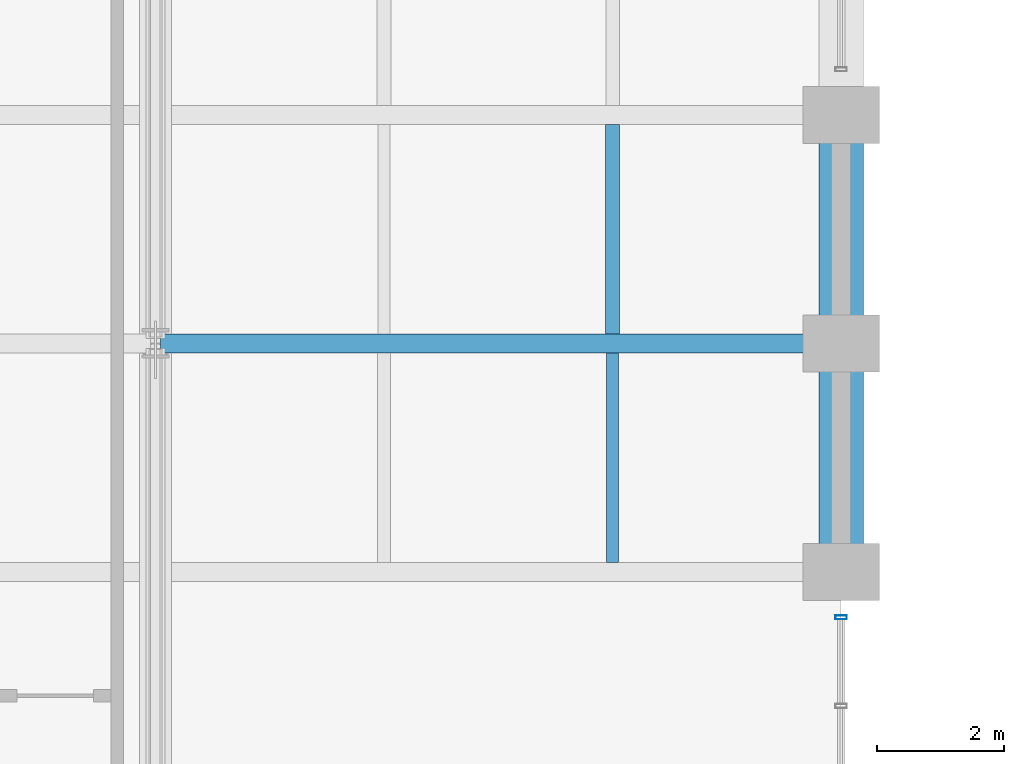
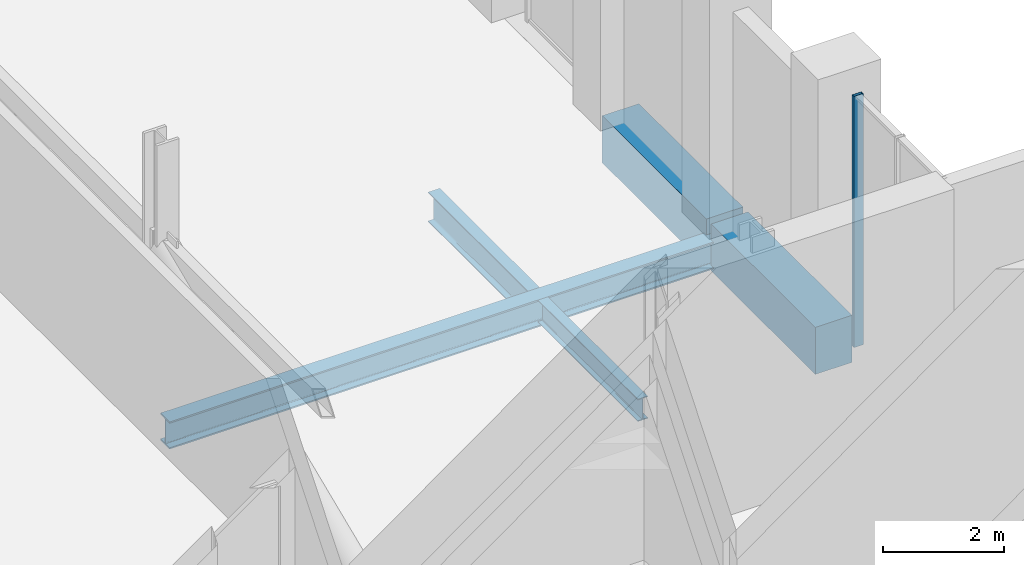
# One storey, part 9 of 27: 5 beams, 1 member, 1 element without a shape of its own.
"""IFC4 building model written with IfcOpenShell, lengths in metres."""

import ifcopenshell
import ifcopenshell.guid

model = None  # the IFC model being written
_history = None  # IfcOwnerHistory: only IFC2X3 demands one
_inside = {}  # id of a spatial element -> (the spatial element, [elements in it])
_under = {}  # id of a project, library or spatial element -> (it, [spatial elements below it])
_declared = {}  # id of a project -> (the project, [libraries it declares])
_typed = {}  # id of a type object -> (the type object, [elements of that type])
_made_of = {}  # id of a material, layer set ... -> (it, [elements and type objects made of it])


def new_model(schema):
    """Start an empty IFC model of exactly this schema.

    Asked for "IFC4X3", IfcOpenShell would pick the latest addendum, in which some entities
    have other attributes; the version numbers below select the first issue.
    IFC2X3 requires an IfcOwnerHistory on every rooted entity: one is made here for all.
    """
    global model, _history
    if schema == "IFC4X3":
        model = ifcopenshell.file(schema_version=(4, 3, 0, 0))
    else:
        model = ifcopenshell.file(schema=schema)
    _inside.clear()
    _under.clear()
    _declared.clear()
    _typed.clear()
    _made_of.clear()
    _history = None
    if model.schema == "IFC2X3":
        org = make("IfcOrganization", Name="unknown")
        user = make(
            "IfcPersonAndOrganization",
            ThePerson=make("IfcPerson", FamilyName="unknown"),
            TheOrganization=org,
        )
        app = make(
            "IfcApplication",
            ApplicationDeveloper=org,
            Version="unknown",
            ApplicationFullName="unknown",
            ApplicationIdentifier="unknown",
        )
        _history = make(
            "IfcOwnerHistory",
            OwningUser=user,
            OwningApplication=app,
            ChangeAction="ADDED",
            CreationDate=0,
        )
    return model


def make(cls, **values):
    """One entity of the class cls with the attributes given. An attribute that is None is left unset."""
    return model.create_entity(
        cls, **{name: value for name, value in values.items() if value is not None}
    )


def rooted(cls, **values):
    """An entity with a GlobalId (a new one), such as an element, a storey or a relation."""
    return make(cls, GlobalId=ifcopenshell.guid.new(), OwnerHistory=_history, **values)


def si_unit(unit_type, name, prefix=None):
    """IfcSIUnit, for example si_unit("LENGTHUNIT", "METRE", prefix="MILLI")."""
    return make("IfcSIUnit", UnitType=unit_type, Prefix=prefix, Name=name)


def assignment(units):
    """IfcUnitAssignment: the units of a project."""
    return None if units is None else make("IfcUnitAssignment", Units=units)


def point(xyz):
    """IfcCartesianPoint."""
    return None if xyz is None else make("IfcCartesianPoint", Coordinates=xyz)


def direction(xyz):
    """IfcDirection."""
    return None if xyz is None else make("IfcDirection", DirectionRatios=xyz)


def frame(location, z_axis=None, x_axis=None):
    """IfcAxis2Placement3D, a coordinate frame: its origin and axes. An axis left out is left unset."""
    return make(
        "IfcAxis2Placement3D",
        Location=point(location),
        Axis=direction(z_axis),
        RefDirection=direction(x_axis),
    )


def frame_2d(location, x_axis=None):
    """IfcAxis2Placement2D, a coordinate frame in the plane: its origin and x axis."""
    return make(
        "IfcAxis2Placement2D", Location=point(location), RefDirection=direction(x_axis)
    )


def origin():
    """The frame at (0, 0, 0) with its axes left unset."""
    return frame((0.0, 0.0, 0.0))


def origin_2d():
    """The frame at (0, 0) in the plane with its x axis left unset."""
    return frame_2d((0.0, 0.0))


def place(relative_to, where):
    """IfcLocalPlacement: puts the frame where relative to a parent placement (None: the world)."""
    return make(
        "IfcLocalPlacement", PlacementRelTo=relative_to, RelativePlacement=where
    )


def context(
    kind, dimensions, precision=None, world=None, true_north=None, identifier=None
):
    """IfcGeometricRepresentationContext, for example the 3D "Model" context."""
    return make(
        "IfcGeometricRepresentationContext",
        ContextIdentifier=identifier,
        ContextType=kind,
        CoordinateSpaceDimension=dimensions,
        Precision=precision,
        WorldCoordinateSystem=world,
        TrueNorth=true_north,
    )


def subcontext(parent, identifier, kind, view, scale=None):
    """IfcGeometricRepresentationSubContext, for example "Body" below "Model"."""
    return make(
        "IfcGeometricRepresentationSubContext",
        ContextIdentifier=identifier,
        ContextType=kind,
        ParentContext=parent,
        TargetScale=scale,
        TargetView=view,
    )


def project(units=None, contexts=None):
    """IfcProject with its units and contexts."""
    return rooted(
        "IfcProject",
        Name="project",
        RepresentationContexts=contexts,
        UnitsInContext=assignment(units),
    )


def spatial(cls, under=None, at=None, **own):
    """A site, building, storey or space (cls), placed at a placement, below another one or the project."""
    s = rooted(cls, ObjectPlacement=at, **own)
    if under is not None:
        _under.setdefault(under.id(), (under, []))[1].append(s)
    return s


def profile(cls, at=None, kind="AREA", **sizes):
    """A parametric profile (cls). Its sizes go by their IFC names, for example OverallWidth=200.0."""
    return make(cls, ProfileType=kind, Position=at, **sizes)


def rectangle(**sizes):
    """IfcRectangleProfileDef."""
    return profile("IfcRectangleProfileDef", **sizes)


def hollow_rectangle(**sizes):
    """IfcRectangleHollowProfileDef."""
    return profile("IfcRectangleHollowProfileDef", **sizes)


def i_section(**sizes):
    """IfcIShapeProfileDef."""
    return profile("IfcIShapeProfileDef", **sizes)


def extrude(swept, where, along, depth):
    """IfcExtrudedAreaSolid: the profile swept, set in the frame where, extruded along a direction by depth."""
    return make(
        "IfcExtrudedAreaSolid",
        SweptArea=swept,
        Position=where,
        ExtrudedDirection=direction(along),
        Depth=depth,
    )


def shape(context_of_items, identifier, shape_type, items):
    """IfcShapeRepresentation: the items that make up one representation, for example the "Body"."""
    return make(
        "IfcShapeRepresentation",
        ContextOfItems=context_of_items,
        RepresentationIdentifier=identifier,
        RepresentationType=shape_type,
        Items=items,
    )


def material(Name=None, Category=None):
    """IfcMaterial."""
    return make("IfcMaterial", Name=Name, Category=Category)


def layer(
    of_material, thickness, ventilated=None, Name=None, Category=None, Priority=None
):
    """IfcMaterialLayer: one layer of a wall or slab, of a material (None: an air gap)."""
    return make(
        "IfcMaterialLayer",
        Material=of_material,
        LayerThickness=thickness,
        IsVentilated=ventilated,
        Name=Name,
        Category=Category,
        Priority=Priority,
    )


def layer_set(layers, Name=None):
    """IfcMaterialLayerSet."""
    return make("IfcMaterialLayerSet", MaterialLayers=layers, LayerSetName=Name)


def material_profile(
    of_material, cross_section, Name=None, Category=None, Priority=None
):
    """IfcMaterialProfile: a cross section and its material."""
    return make(
        "IfcMaterialProfile",
        Name=Name,
        Material=of_material,
        Profile=cross_section,
        Priority=Priority,
        Category=Category,
    )


def profile_set(profiles, Name=None, composite=None):
    """IfcMaterialProfileSet."""
    return make(
        "IfcMaterialProfileSet",
        Name=Name,
        MaterialProfiles=profiles,
        CompositeProfile=composite,
    )


def made_of(thing, what):
    """Note that an element or type object is made of a material, layer set ...; save() writes the relation."""
    if what is not None:
        _made_of.setdefault(what.id(), (what, []))[1].append(thing)
    return thing


def type_object(cls, material=None, **own):
    """A type object (cls), such as IfcWallType, which elements share."""
    return made_of(rooted(cls, **own), material)


def element(
    cls,
    number,
    at=None,
    inside=None,
    cuts=None,
    type_object=None,
    material=None,
    context=None,
    identifier="Body",
    shape_type=None,
    held_by="IfcProductDefinitionShape",
    body=None,
    shapes=None,
    **own,
):
    """One element of the class cls, such as IfcWall. Its Tag is "e" and its number.

    at: its placement. inside: the storey or other place that contains it. cuts: it is an
    opening in that element (IfcRelVoidsElement). A single representation is given by context,
    identifier, shape_type and body (its items); several are given by shapes. held_by: the class
    of the entity that holds the representations. save() writes the other relations.
    """
    e = rooted(cls, Tag="e%d" % number, ObjectPlacement=at, **own)
    if body is not None:
        shapes = [shape(context, identifier, shape_type, body)]
    if shapes is not None:
        e.Representation = make(held_by, Representations=shapes)
    if inside is not None:
        _inside.setdefault(inside.id(), (inside, []))[1].append(e)
    if cuts is not None:
        rooted(
            "IfcRelVoidsElement", RelatingBuildingElement=cuts, RelatedOpeningElement=e
        )
    if type_object is not None:
        _typed.setdefault(type_object.id(), (type_object, []))[1].append(e)
    return made_of(e, material)


def aggregate(whole, parts):
    """IfcRelAggregates: a whole, such as a stair, and the parts it consists of."""
    return rooted("IfcRelAggregates", RelatingObject=whole, RelatedObjects=parts)


def save(model, path):
    """Write the relations noted so far, then the file.

    IfcRelAggregates (storeys below a building ...), IfcRelContainedInSpatialStructure (elements
    in a storey), IfcRelDefinesByType, IfcRelAssociatesMaterial and IfcRelDeclares: one each for
    every whole, place, type object, material and project.
    """
    for whole, parts in _under.values():
        aggregate(whole, parts)
    for where, things in _inside.values():
        rooted(
            "IfcRelContainedInSpatialStructure",
            RelatedElements=things,
            RelatingStructure=where,
        )
    for kind, things in _typed.values():
        rooted("IfcRelDefinesByType", RelatedObjects=things, RelatingType=kind)
    for what, things in _made_of.values():
        rooted("IfcRelAssociatesMaterial", RelatedObjects=things, RelatingMaterial=what)
    for by, libraries in _declared.values():
        rooted("IfcRelDeclares", RelatingContext=by, RelatedDefinitions=libraries)
    model.write(path)


model = new_model("IFC4")

# Units and contexts
model_context = context("Model", 3, precision=1e-05, world=origin(), true_north=direction((0.0, 1.0)))
body_context = subcontext(model_context, "Body", "Model", "MODEL_VIEW")
ifc_project = project(units=[si_unit("LENGTHUNIT", "METRE"), si_unit("AREAUNIT", "SQUARE_METRE"), si_unit("VOLUMEUNIT", "CUBIC_METRE"), si_unit("PLANEANGLEUNIT", "RADIAN"), si_unit("MASSUNIT", "GRAM", prefix="KILO")], contexts=[model_context])

# Site, building, storey
site_placement = place(None, origin())
site = spatial("IfcSite", under=ifc_project, at=site_placement, CompositionType="ELEMENT")
building_placement = place(site_placement, origin())
building = spatial("IfcBuilding", under=site, at=building_placement, Name="Solnavia Interchange Tower", CompositionType="ELEMENT")
storey_placement = place(building_placement, frame((0.0, 0.0, 74.699951171875)))
storey = spatial("IfcBuildingStorey", under=building, at=storey_placement, Name="L18", CompositionType="ELEMENT", Elevation=74.699951171875)

# Beams
ifc_material_1 = material(Name="Steel S460", Category="steel")
ifc_material_profile_1 = material_profile(ifc_material_1, i_section(OverallWidth=0.300048828125, OverallDepth=0.550048828125, WebThickness=0.014892578125, FlangeThickness=0.029052734375, FilletRadius=0.027099609375, at=origin_2d()), Name="HEB 550")
ifc_profile_set_1 = profile_set([ifc_material_profile_1], Name="Steel S460")
beam_type_1 = type_object("IfcBeamType", Name="Beam-Girder-HEB550", PredefinedType="BEAM", material=ifc_profile_set_1)
beam_1_placement = place(storey_placement, frame((18.080078125, 32.39990234375, -0.594970703125), z_axis=(1.0, 0.0, 0.0), x_axis=(0.0, 1.0, 0.0)))
element("IfcBeam", 1, at=beam_1_placement, inside=storey, type_object=beam_type_1, Name="GRD-L18-NW17 North wing primary floor girder", PredefinedType="BEAM", context=body_context, shape_type="SweptSolid", body=[
    extrude(i_section(OverallWidth=0.300048828125, OverallDepth=0.550048828125, WebThickness=0.014892578125, FlangeThickness=0.029052734375, FilletRadius=0.027099609375, at=origin_2d()), origin(), (0.0, 0.0, 1.0), 10.639892578125),
])
ifc_material_2 = material(Name="Steel S355", Category="steel")
ifc_material_profile_2 = material_profile(ifc_material_2, i_section(OverallWidth=0.18994140625, OverallDepth=0.449951171875, WebThickness=0.009521484375, FlangeThickness=0.0146484375, FilletRadius=0.02099609375, at=origin_2d()), Name="IPE 450")
ifc_profile_set_2 = profile_set([ifc_material_profile_2], Name="Steel S355")
beam_type_2 = type_object("IfcBeamType", Name="Beam-Joist-IPE450", PredefinedType="JOIST", material=ifc_profile_set_2)
beam_2_placement = place(storey_placement, frame((25.199951171875, 28.949951171875, -0.544921875), z_axis=(0.0, 1.0, 0.0), x_axis=(-1.0, 0.0, 0.0)))
element("IfcBeam", 2, at=beam_2_placement, inside=storey, type_object=beam_type_2, Name="JST-L18-N33 North wing secondary joist", PredefinedType="JOIST", context=body_context, shape_type="SweptSolid", body=[
    extrude(i_section(OverallWidth=0.18994140625, OverallDepth=0.449951171875, WebThickness=0.009521484375, FlangeThickness=0.0146484375, FilletRadius=0.02099609375, at=origin_2d()), origin(), (0.0, 0.0, 1.0), 3.300048828125),
])
ifc_material_profile_3 = material_profile(ifc_material_2, i_section(OverallWidth=0.219970703125, OverallDepth=0.60009765625, WebThickness=0.011962890625, FlangeThickness=0.01904296875, FilletRadius=0.02392578125, at=origin_2d()), Name="IPE 600")
ifc_profile_set_3 = profile_set([ifc_material_profile_3], Name="Steel S355")
beam_type_3 = type_object("IfcBeamType", Name="Beam-Joist-IPE600", PredefinedType="JOIST", material=ifc_profile_set_3)
beam_3_placement = place(storey_placement, frame((25.199951171875, 32.550048828125, -0.619873046875), z_axis=(0.0, 1.0, 0.0), x_axis=(-1.0, 0.0, 0.0)))
element("IfcBeam", 3, at=beam_3_placement, inside=storey, type_object=beam_type_3, Name="JST-L18-N34 North wing secondary joist", PredefinedType="JOIST", context=body_context, shape_type="SweptSolid", body=[
    extrude(i_section(OverallWidth=0.219970703125, OverallDepth=0.60009765625, WebThickness=0.011962890625, FlangeThickness=0.01904296875, FilletRadius=0.02392578125, at=origin_2d()), origin(), (0.0, 0.0, 1.0), 3.300048828125),
])
ifc_material_3 = material(Name="Concrete C50/60", Category="concrete")
ifc_material_profile_4 = material_profile(ifc_material_3, rectangle(XDim=0.699951171875, YDim=0.949951171875, at=origin_2d()), Name="RC 700x950")
ifc_profile_set_4 = profile_set([ifc_material_profile_4], Name="Concrete C50/60")
beam_type_4 = type_object("IfcBeamType", Name="Beam-Spandrel-RC700x950", PredefinedType="SPANDREL", material=ifc_profile_set_4)
beam_4_placement = place(storey_placement, frame((28.800048828125, 28.8798828125, -0.474853515625), z_axis=(0.0, 1.0, 0.0), x_axis=(-1.0, 0.0, 0.0)))
element("IfcBeam", 4, at=beam_4_placement, inside=storey, type_object=beam_type_4, Name="SPB-L18-29 Framed-tube perimeter spandrel beam", PredefinedType="SPANDREL", context=body_context, shape_type="SweptSolid", body=[
    extrude(rectangle(XDim=0.699951171875, YDim=0.949951171875, at=origin_2d()), origin(), (0.0, 0.0, 1.0), 3.440185546875),
])
beam_5_placement = place(storey_placement, frame((28.800048828125, 32.47998046875, -0.474853515625), z_axis=(0.0, 1.0, 0.0), x_axis=(-1.0, 0.0, 0.0)))
element("IfcBeam", 5, at=beam_5_placement, inside=storey, type_object=beam_type_4, Name="SPB-L18-30 Framed-tube perimeter spandrel beam", PredefinedType="SPANDREL", context=body_context, shape_type="SweptSolid", body=[
    extrude(rectangle(XDim=0.699951171875, YDim=0.949951171875, at=origin_2d()), origin(), (0.0, 0.0, 1.0), 3.43994140625),
])

# Curtain wall, member
ifc_material_4 = material(Name="Aluminium Alloy 6063-T6", Category="aluminium")
ifc_layer = layer(ifc_material_4, 0.199951171875)
ifc_layer_set = layer_set([ifc_layer], Name="Aluminium Alloy 6063-T6")
curtain_wall_type = type_object("IfcCurtainWallType", Name="CurtainWall-Louvre-CTW5", PredefinedType="NOTDEFINED", material=ifc_layer_set)
curtain_wall_placement = place(storey_placement, origin())
curtain_wall = element("IfcCurtainWall", 6, at=curtain_wall_placement, inside=storey, type_object=curtain_wall_type, Name="CTW-L18-L30 CTW-5 curtain wall", PredefinedType="NOTDEFINED")
ifc_material_profile_5 = material_profile(ifc_material_4, hollow_rectangle(XDim=0.06494140625, YDim=0.179931640625, WallThickness=0.00439453125, at=origin_2d()), Name="ALU 180x65x4.5")
ifc_profile_set_5 = profile_set([ifc_material_profile_5], Name="Aluminium Alloy 6063-T6")
member_type = type_object("IfcMemberType", Name="CW-Mullion-CWM-5", PredefinedType="MULLION", material=ifc_profile_set_5)
member_placement = place(storey_placement, frame((28.800048828125, 28.0849609375, 0.0), z_axis=(0.0, 0.0, 1.0), x_axis=(0.0, 1.0, 0.0)))
member = element("IfcMember", 7, at=member_placement, type_object=member_type, Name="CTW-5 mullion 3", PredefinedType="MULLION", context=body_context, shape_type="SweptSolid", body=[
    extrude(hollow_rectangle(XDim=0.06494140625, YDim=0.179931640625, WallThickness=0.00439453125, at=origin_2d()), origin(), (0.0, 0.0, 1.0), 5.06494140625),
])
aggregate(curtain_wall, [member])

save(model, "model.ifc")
